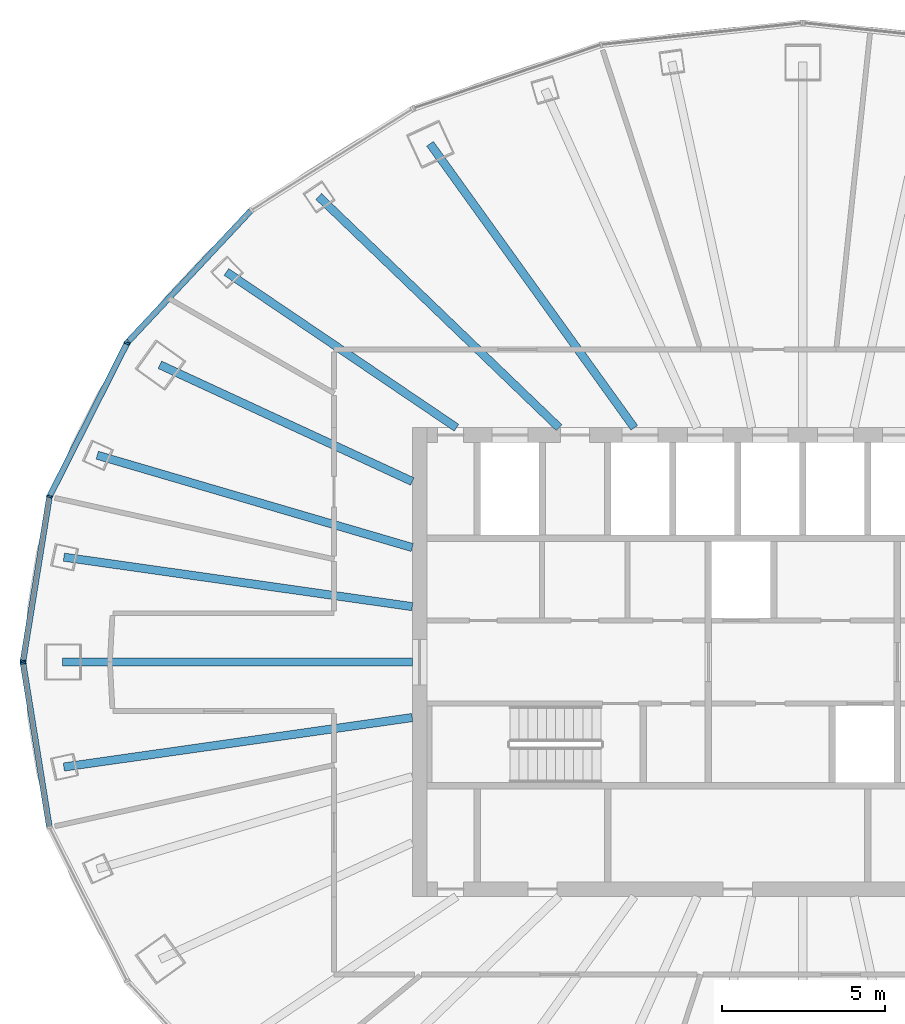
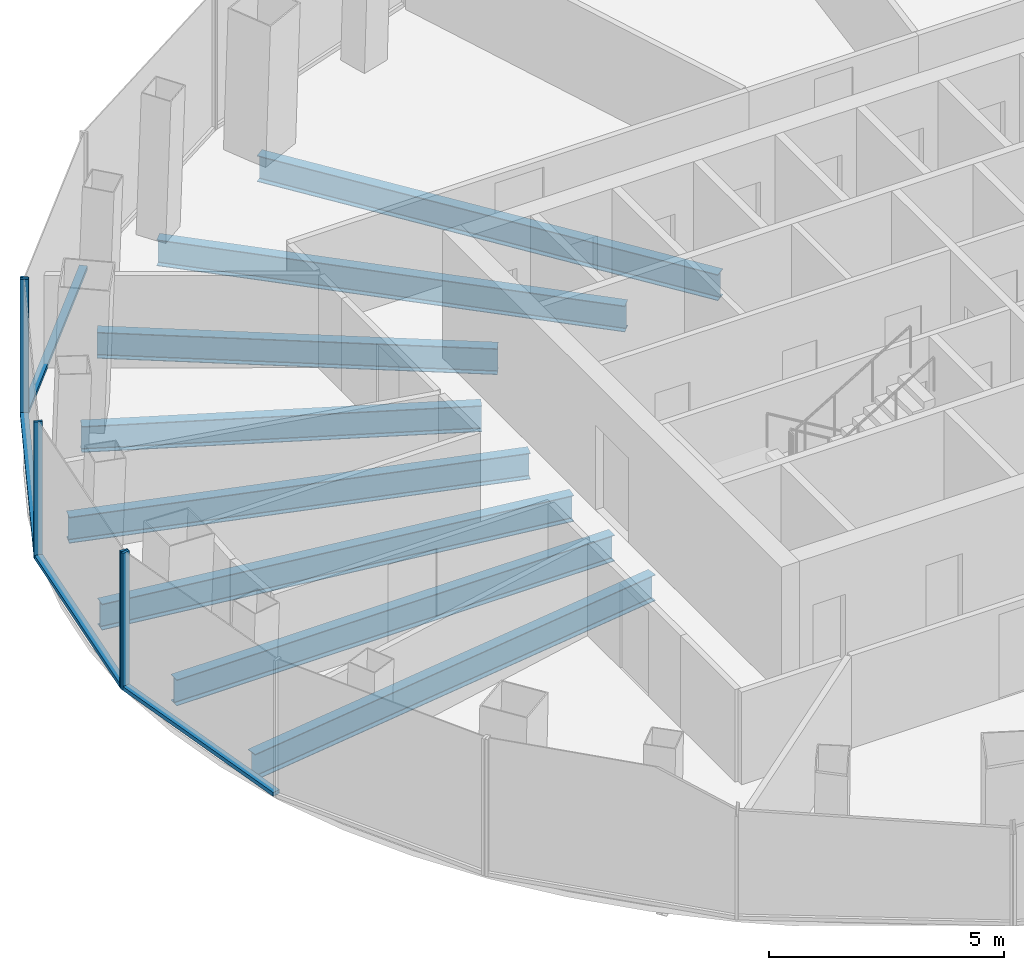
# One storey, part 3 of 10: 9 members, 8 beams, 3 elements without a shape of their own.
"""IFC4 building model written with IfcOpenShell, lengths in metres."""

from ifc_helpers import new_model, si_unit, direction, frame, origin, origin_2d, place, context, subcontext, project, spatial, rectangle, i_section, extrude, material, layer, layer_set, material_profile, profile_set, type_object, element, aggregate, save


model = new_model("IFC4")

# Units and contexts
model_context = context("Model", 3, precision=1e-05, world=origin(), true_north=direction((0.0, 1.0)))
body_context = subcontext(model_context, "Body", "Model", "MODEL_VIEW")
ifc_project = project(units=[si_unit("LENGTHUNIT", "METRE"), si_unit("AREAUNIT", "SQUARE_METRE"), si_unit("VOLUMEUNIT", "CUBIC_METRE"), si_unit("PLANEANGLEUNIT", "RADIAN"), si_unit("MASSUNIT", "GRAM", prefix="KILO")], contexts=[model_context])

# Site, building, storey
site_placement = place(None, origin())
site = spatial("IfcSite", under=ifc_project, at=site_placement, CompositionType="ELEMENT")
building_placement = place(site_placement, origin())
building = spatial("IfcBuilding", under=site, at=building_placement, Name="Siaravel Broadcast Tower", CompositionType="ELEMENT")
storey_placement = place(building_placement, frame((0.0, 0.0, 164.5)))
storey = spatial("IfcBuildingStorey", under=building, at=storey_placement, Name="L39", CompositionType="ELEMENT", Elevation=164.5)

# Beams
ifc_material_1 = material(Name="Steel S355", Category="steel")
ifc_material_profile_1 = material_profile(ifc_material_1, i_section(OverallWidth=0.2529296875, OverallDepth=0.677978515625, WebThickness=0.01171875, FlangeThickness=0.01611328125, FilletRadius=0.01513671875, at=origin_2d()))
ifc_profile_set_1 = profile_set([ifc_material_profile_1], Name="Steel S355")
beam_type = type_object("IfcBeamType", Name="BM-UB 686x254x125", PredefinedType="BEAM", material=ifc_profile_set_1)
beam_1_placement = place(storey_placement, frame((-11.4541015625, 15.92333984375, -0.489013671875), z_axis=(0.583940769, -0.811796266, 0.0), x_axis=(0.811796266, 0.583940769, 0.0)))
element("IfcBeam", 1, at=beam_1_placement, inside=storey, type_object=beam_type, Name="Radial beam RB13", PredefinedType="BEAM", context=body_context, shape_type="SweptSolid", body=[
    extrude(i_section(OverallWidth=0.2529296875, OverallDepth=0.677978515625, WebThickness=0.01171875, FlangeThickness=0.01611328125, FilletRadius=0.01513671875, at=origin_2d()), origin(), (0.0, 0.0, 1.0), 10.745849609375),
])
beam_2_placement = place(storey_placement, frame((-14.876708984375, 14.305419921875, -0.489013671875), z_axis=(0.720808352, -0.693134417, 0.0), x_axis=(0.693134417, 0.720808352, 0.0)))
element("IfcBeam", 2, at=beam_2_placement, inside=storey, type_object=beam_type, Name="Radial beam RB14", PredefinedType="BEAM", context=body_context, shape_type="SweptSolid", body=[
    extrude(i_section(OverallWidth=0.2529296875, OverallDepth=0.677978515625, WebThickness=0.01171875, FlangeThickness=0.01611328125, FilletRadius=0.01513671875, at=origin_2d()), origin(), (0.0, 0.0, 1.0), 10.251220703125),
])
beam_3_placement = place(storey_placement, frame((-17.71044921875, 11.984375, -0.489013671875), z_axis=(0.828198305, -0.560435159, 0.0), x_axis=(0.560435159, 0.828198305, 0.0)))
element("IfcBeam", 3, at=beam_3_placement, inside=storey, type_object=beam_type, Name="Radial beam RB15", PredefinedType="BEAM", context=body_context, shape_type="SweptSolid", body=[
    extrude(i_section(OverallWidth=0.2529296875, OverallDepth=0.677978515625, WebThickness=0.01171875, FlangeThickness=0.01611328125, FilletRadius=0.01513671875, at=origin_2d()), origin(), (0.0, 0.0, 1.0), 8.536865234375),
])
beam_4_placement = place(storey_placement, frame((-19.754638671875, 9.1337890625, -0.489013671875), z_axis=(0.907674805, -0.419674218, 0.0), x_axis=(0.419674218, 0.907674805, 0.0)))
element("IfcBeam", 4, at=beam_4_placement, inside=storey, type_object=beam_type, Name="Radial beam RB16", PredefinedType="BEAM", context=body_context, shape_type="SweptSolid", body=[
    extrude(i_section(OverallWidth=0.2529296875, OverallDepth=0.677978515625, WebThickness=0.01171875, FlangeThickness=0.01611328125, FilletRadius=0.01513671875, at=origin_2d()), origin(), (0.0, 0.0, 1.0), 8.54345703125),
])
beam_5_placement = place(storey_placement, frame((-21.679443359375, 6.3564453125, -0.489013671875), z_axis=(0.959600267, -0.28136689, 0.0), x_axis=(0.28136689, 0.959600267, 0.0)))
element("IfcBeam", 5, at=beam_5_placement, inside=storey, type_object=beam_type, Name="Radial beam RB17", PredefinedType="BEAM", context=body_context, shape_type="SweptSolid", body=[
    extrude(i_section(OverallWidth=0.2529296875, OverallDepth=0.677978515625, WebThickness=0.01171875, FlangeThickness=0.01611328125, FilletRadius=0.01513671875, at=origin_2d()), origin(), (0.0, 0.0, 1.0), 10.0869140625),
])
beam_6_placement = place(storey_placement, frame((-22.704345703125, 3.223876953125, -0.489013671875), z_axis=(0.990067921, -0.140589871, 0.0), x_axis=(0.140589871, 0.990067921, 0.0)))
element("IfcBeam", 6, at=beam_6_placement, inside=storey, type_object=beam_type, Name="Radial beam RB18", PredefinedType="BEAM", context=body_context, shape_type="SweptSolid", body=[
    extrude(i_section(OverallWidth=0.2529296875, OverallDepth=0.677978515625, WebThickness=0.01171875, FlangeThickness=0.01611328125, FilletRadius=0.01513671875, at=origin_2d()), origin(), (0.0, 0.0, 1.0), 10.811767578125),
])
beam_7_placement = place(storey_placement, frame((-22.748779296875, 0.0, -0.489013671875), z_axis=(1.0, 0.0, 0.0), x_axis=(0.0, 1.0, 0.0)))
element("IfcBeam", 7, at=beam_7_placement, inside=storey, type_object=beam_type, Name="Radial beam RB19", PredefinedType="BEAM", context=body_context, shape_type="SweptSolid", body=[
    extrude(i_section(OverallWidth=0.2529296875, OverallDepth=0.677978515625, WebThickness=0.01171875, FlangeThickness=0.01611328125, FilletRadius=0.01513671875, at=origin_2d()), origin(), (0.0, 0.0, 1.0), 10.748779296875),
])
beam_8_placement = place(storey_placement, frame((-22.704345703125, -3.223876953125, -0.489013671875), z_axis=(0.990067921, 0.140589871, 0.0), x_axis=(-0.140589871, 0.990067921, 0.0)))
element("IfcBeam", 8, at=beam_8_placement, inside=storey, type_object=beam_type, Name="Radial beam RB20", PredefinedType="BEAM", context=body_context, shape_type="SweptSolid", body=[
    extrude(i_section(OverallWidth=0.2529296875, OverallDepth=0.677978515625, WebThickness=0.01171875, FlangeThickness=0.01611328125, FilletRadius=0.01513671875, at=origin_2d()), origin(), (0.0, 0.0, 1.0), 10.811767578125),
])

# Curtain wall, member
ifc_material_2 = material(Name="Aluminium 6063-T6", Category="aluminium")
ifc_layer = layer(ifc_material_2, 0.179931640625)
ifc_layer_set = layer_set([ifc_layer], Name="Aluminium 6063-T6")
curtain_wall_type = type_object("IfcCurtainWallType", Name="Unitised curtain wall, zone 3", PredefinedType="NOTDEFINED", material=ifc_layer_set)
curtain_wall_1_placement = place(storey_placement, origin())
curtain_wall_1 = element("IfcCurtainWall", 9, at=curtain_wall_1_placement, inside=storey, type_object=curtain_wall_type, Name="L39 Unitised curtain wall, zone 3 05", PredefinedType="NOTDEFINED")
ifc_material_profile_2 = material_profile(ifc_material_2, rectangle(XDim=0.179931640625, YDim=0.06005859375, at=origin_2d()))
ifc_profile_set_2 = profile_set([ifc_material_profile_2], Name="Aluminium 6063-T6")
member_type_1 = type_object("IfcMemberType", Name="CW-Z3 mullion", PredefinedType="MULLION", material=ifc_profile_set_2)
member_1_placement = place(storey_placement, frame((-20.7294921875, 9.844482421875, 0.0), z_axis=(0.0, 0.0, 1.0), x_axis=(0.729806172, -0.683654117, 0.0)))
member_1 = element("IfcMember", 10, at=member_1_placement, type_object=member_type_1, Name="CW-Z3 mullion 3", PredefinedType="MULLION", context=body_context, shape_type="SweptSolid", body=[
    extrude(rectangle(XDim=0.179931640625, YDim=0.06005859375, at=origin_2d()), origin(), (0.0, 0.0, 1.0), 3.550048828125),
])

# Curtain wall, members
curtain_wall_2_placement = place(storey_placement, origin())
curtain_wall_2 = element("IfcCurtainWall", 11, at=curtain_wall_2_placement, inside=storey, type_object=curtain_wall_type, Name="L39 Unitised curtain wall, zone 3 06", PredefinedType="NOTDEFINED")
member_2_placement = place(storey_placement, frame((-20.763427734375, 9.795654296875, 0.0), z_axis=(0.0, 0.0, 1.0), x_axis=(0.89239259, -0.451259864, 0.0)))
member_2 = element("IfcMember", 12, at=member_2_placement, type_object=member_type_1, Name="CW-Z3 mullion 1", PredefinedType="MULLION", context=body_context, shape_type="SweptSolid", body=[
    extrude(rectangle(XDim=0.179931640625, YDim=0.06005859375, at=origin_2d()), origin(), (0.0, 0.0, 1.0), 3.550048828125),
])
member_3_placement = place(storey_placement, frame((-23.1455078125, 5.085205078125, 0.0), z_axis=(0.0, 0.0, 1.0), x_axis=(0.951177457, -0.30864453, 0.0)))
member_3 = element("IfcMember", 13, at=member_3_placement, type_object=member_type_1, Name="CW-Z3 mullion 2", PredefinedType="MULLION", context=body_context, shape_type="SweptSolid", body=[
    extrude(rectangle(XDim=0.179931640625, YDim=0.06005859375, at=origin_2d()), origin(), (0.0, 0.0, 1.0), 3.550048828125),
])
member_4_placement = place(storey_placement, frame((-23.9580078125, 0.029541015625, 0.0), z_axis=(0.0, 0.0, 1.0), x_axis=(0.987329251, -0.158685063, 0.0)))
member_4 = element("IfcMember", 14, at=member_4_placement, type_object=member_type_1, Name="CW-Z3 mullion 3", PredefinedType="MULLION", context=body_context, shape_type="SweptSolid", body=[
    extrude(rectangle(XDim=0.179931640625, YDim=0.06005859375, at=origin_2d()), origin(), (0.0, 0.0, 1.0), 3.550048828125),
])

# Curtain wall, member
curtain_wall_3_placement = place(storey_placement, origin())
curtain_wall_3 = element("IfcCurtainWall", 15, at=curtain_wall_3_placement, inside=storey, type_object=curtain_wall_type, Name="L39 Unitised curtain wall, zone 3 07", PredefinedType="NOTDEFINED")
member_5_placement = place(storey_placement, frame((-23.9580078125, -0.029541015625, 0.0), z_axis=(0.0, 0.0, 1.0), x_axis=(0.987329251, 0.158685063, 0.0)))
member_5 = element("IfcMember", 16, at=member_5_placement, type_object=member_type_1, Name="CW-Z3 mullion 1", PredefinedType="MULLION", context=body_context, shape_type="SweptSolid", body=[
    extrude(rectangle(XDim=0.179931640625, YDim=0.06005859375, at=origin_2d()), origin(), (0.0, 0.0, 1.0), 3.550048828125),
])

# Member
ifc_material_profile_3 = material_profile(ifc_material_2, rectangle(XDim=0.179931640625, YDim=0.10009765625, at=origin_2d()))
ifc_profile_set_3 = profile_set([ifc_material_profile_3], Name="Aluminium 6063-T6")
member_type_2 = type_object("IfcMemberType", Name="CW-Z3 transom", PredefinedType="USERDEFINED", material=ifc_profile_set_3)
member_6_placement = place(storey_placement, frame((-16.961181640625, 13.8671875, 0.050048828125), z_axis=(-0.68363887, -0.729820454, 0.0), x_axis=(0.729820454, -0.68363887, 0.0)))
member_6 = element("IfcMember", 17, at=member_6_placement, type_object=member_type_2, Name="CW-Z3 transom 2", ObjectType="TRANSOM", PredefinedType="USERDEFINED", context=body_context, shape_type="SweptSolid", body=[
    extrude(rectangle(XDim=0.179931640625, YDim=0.10009765625, at=origin_2d()), origin(), (0.0, 0.0, 1.0), 5.482177734375),
])

aggregate(curtain_wall_1, [member_1, member_6])

member_7_placement = place(storey_placement, frame((-20.777099609375, 9.768798828125, 0.050048828125), z_axis=(-0.451269759, -0.892387586, 0.0), x_axis=(0.892387586, -0.451269759, 0.0)))
member_7 = element("IfcMember", 18, at=member_7_placement, type_object=member_type_2, Name="CW-Z3 transom 1", ObjectType="TRANSOM", PredefinedType="USERDEFINED", context=body_context, shape_type="SweptSolid", body=[
    extrude(rectangle(XDim=0.179931640625, YDim=0.10009765625, at=origin_2d()), origin(), (0.0, 0.0, 1.0), 5.218505859375),
])

member_8_placement = place(storey_placement, frame((-23.150390625, 5.055419921875, 0.050048828125), z_axis=(-0.158677256, -0.987330506, 0.0), x_axis=(0.987330506, -0.158677256, 0.0)))
member_8 = element("IfcMember", 19, at=member_8_placement, type_object=member_type_2, Name="CW-Z3 transom 2", ObjectType="TRANSOM", PredefinedType="USERDEFINED", context=body_context, shape_type="SweptSolid", body=[
    extrude(rectangle(XDim=0.179931640625, YDim=0.10009765625, at=origin_2d()), origin(), (0.0, 0.0, 1.0), 5.060546875),
])

aggregate(curtain_wall_2, [member_2, member_3, member_4, member_7, member_8])

member_9_placement = place(storey_placement, frame((-23.953369140625, -0.05908203125, 0.050048828125), z_axis=(0.158677256, -0.987330506, 0.0), x_axis=(0.987330506, 0.158677256, 0.0)))
member_9 = element("IfcMember", 20, at=member_9_placement, type_object=member_type_2, Name="CW-Z3 transom 1", ObjectType="TRANSOM", PredefinedType="USERDEFINED", context=body_context, shape_type="SweptSolid", body=[
    extrude(rectangle(XDim=0.179931640625, YDim=0.10009765625, at=origin_2d()), origin(), (0.0, 0.0, 1.0), 5.060546875),
])

aggregate(curtain_wall_3, [member_5, member_9])

save(model, "model.ifc")
